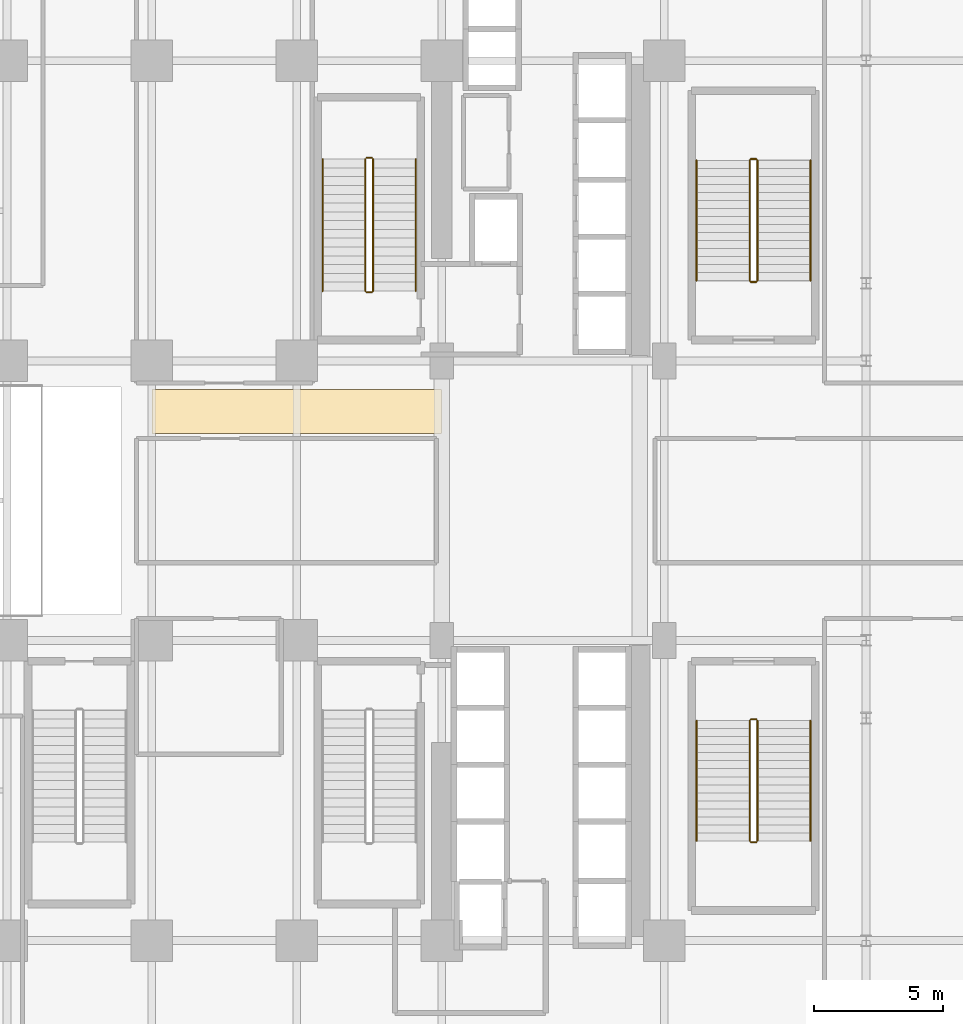
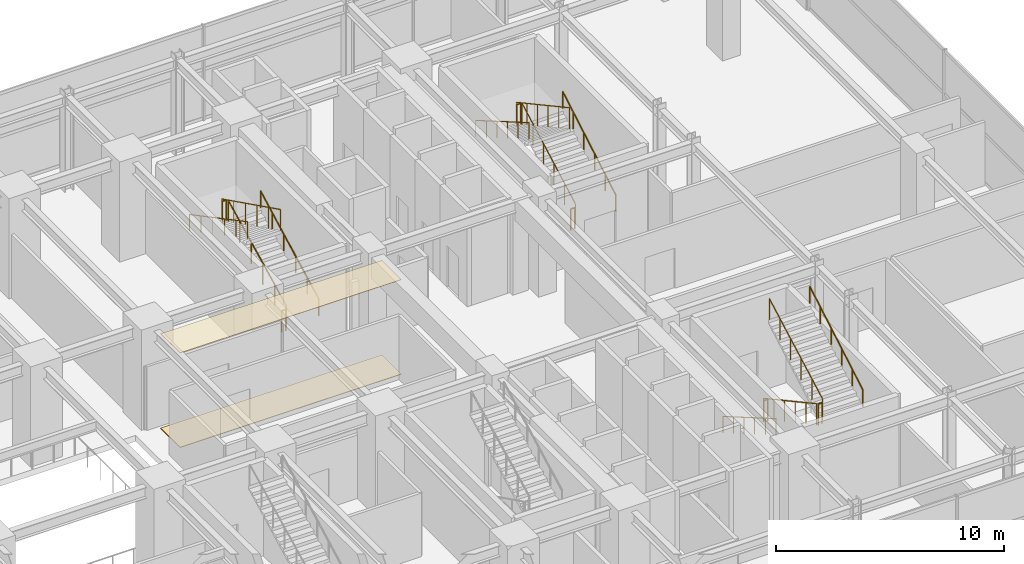
# One storey, part 32 of 32: 18 railings, 2 coverings.
"""IFC4 building model written with IfcOpenShell, lengths in metres."""

from ifc_helpers import new_model, si_unit, direction, frame, origin, origin_2d, place, context, subcontext, project, spatial, polyline, circle, outline, extrude, material, layer, layer_set, type_object, element, save


model = new_model("IFC4")

# Units and contexts
model_context = context("Model", 3, precision=1e-05, world=origin(), true_north=direction((0.0, 1.0)))
body_context = subcontext(model_context, "Body", "Model", "MODEL_VIEW")
ifc_project = project(units=[si_unit("LENGTHUNIT", "METRE"), si_unit("AREAUNIT", "SQUARE_METRE"), si_unit("VOLUMEUNIT", "CUBIC_METRE"), si_unit("PLANEANGLEUNIT", "RADIAN"), si_unit("MASSUNIT", "GRAM", prefix="KILO")], contexts=[model_context])

# Site, building, storey
site_placement = place(None, origin())
site = spatial("IfcSite", under=ifc_project, at=site_placement, CompositionType="ELEMENT")
building_placement = place(site_placement, origin())
building = spatial("IfcBuilding", under=site, at=building_placement, Name="Nahalor Promenade Grand Hotel", CompositionType="ELEMENT")
storey_placement = place(building_placement, frame((0.0, 0.0, 5.39990234375)))
storey = spatial("IfcBuildingStorey", under=building, at=storey_placement, Name="L01", CompositionType="ELEMENT", Elevation=5.39990234375)

# Coverings
ifc_material_1 = material(Name="Acoustic Mineral Gypsum", Category="gypsum")
ifc_layer_1 = layer(ifc_material_1, 0.02490234375)
ifc_layer_set_1 = layer_set([ifc_layer_1], Name="Acoustic Mineral Gypsum")
covering_type_1 = type_object("IfcCoveringType", Name="Acoustic Suspended Ceiling Tile", PredefinedType="CEILING", material=ifc_layer_set_1)
covering_1_placement = place(storey_placement, frame((0.0, 0.0, 5.05517578125)))
element("IfcCovering", 1, at=covering_1_placement, inside=storey, type_object=covering_type_1, Name="CV-CEIL-L01", PredefinedType="CEILING", context=body_context, shape_type="SweptSolid", body=[
    extrude(outline(polyline([(-2.800048828125, 2.60009765625), (8.39990234375, 2.60009765625), (8.39990234375, 4.300048828125), (-2.800048828125, 4.300048828125), (-2.800048828125, 2.60009765625)])), origin(), (0.0, 0.0, 1.0), 0.02490234375),
])
ifc_material_2 = material(Name="Jerusalem Limestone Flooring", Category="masonry")
ifc_layer_2 = layer(ifc_material_2, 0.030029296875)
ifc_layer_set_2 = layer_set([ifc_layer_2], Name="Jerusalem Limestone Flooring")
covering_type_2 = type_object("IfcCoveringType", Name="Honed Limestone Floor Finish", PredefinedType="FLOORING", material=ifc_layer_set_2)
covering_2_placement = place(storey_placement, origin())
element("IfcCovering", 2, at=covering_2_placement, inside=storey, type_object=covering_type_2, Name="CV-FLOR-L01", PredefinedType="FLOORING", context=body_context, shape_type="SweptSolid", body=[
    extrude(outline(polyline([(-2.800048828125, 2.60009765625), (8.39990234375, 2.60009765625), (8.39990234375, 4.300048828125), (-2.800048828125, 4.300048828125), (-2.800048828125, 2.60009765625)])), origin(), (0.0, 0.0, 1.0), 0.030029296875),
])

# Railings
ifc_material_3 = material(Name="Steel S355JR", Category="steel")
railing_type_1 = type_object("IfcRailingType", Name="Steel Stair Guardrail 1150 mm", PredefinedType="GUARDRAIL", material=ifc_material_3)
railing_1_placement = place(storey_placement, frame((5.75, 8.10009765625, 0.1689453125)))
element("IfcRailing", 3, at=railing_1_placement, inside=storey, type_object=railing_type_1, Name="L01 ST1 stair guard 1", PredefinedType="GUARDRAIL", context=body_context, shape_type="SweptSolid", body=[
    extrude(circle(Radius=0.024048, at=origin_2d()), frame((0.0, 0.0, 1.1259765625), z_axis=(0.0, 0.895735491292, 0.444587370086), x_axis=(-1.0, 0.0, 0.0)), (0.0, 0.0, 1.0), 5.693603515625),
    extrude(circle(Radius=0.020996, at=origin_2d()), origin(), (0.0, 0.0, 1.0), 1.099853515625),
    extrude(circle(Radius=0.020996, at=origin_2d()), frame((0.0, 1.02001953125, 0.50634765625)), (0.0, 0.0, 1.0), 1.099853515625),
    extrude(circle(Radius=0.020996, at=origin_2d()), frame((0.0, 2.0400390625, 1.012451171875)), (0.0, 0.0, 1.0), 1.099853515625),
    extrude(circle(Radius=0.020996, at=origin_2d()), frame((0.0, 3.059814453125, 1.518798828125)), (0.0, 0.0, 1.0), 1.099853515625),
    extrude(circle(Radius=0.020996, at=origin_2d()), frame((0.0, 4.079833984375, 2.02490234375)), (0.0, 0.0, 1.0), 1.099853515625),
    extrude(circle(Radius=0.020996, at=origin_2d()), frame((0.0, 5.099853515625, 2.53125)), (0.0, 0.0, 1.0), 1.099853515625),
])
railing_2_placement = place(storey_placement, frame((5.699951171875, 13.25, 2.7001953125)))
element("IfcRailing", 4, at=railing_2_placement, inside=storey, type_object=railing_type_1, Name="L01 ST1 stair guard 2", PredefinedType="GUARDRAIL", context=body_context, shape_type="SweptSolid", body=[
    extrude(circle(Radius=0.024048, at=origin_2d()), frame((0.0, 0.0, 1.1259765625), z_axis=(-1.0, 0.0, 0.0), x_axis=(0.0, -1.0, 0.0)), (0.0, 0.0, 1.0), 0.199951171875),
    extrude(circle(Radius=0.020996, at=origin_2d()), origin(), (0.0, 0.0, 1.0), 1.099853515625),
    extrude(circle(Radius=0.020996, at=origin_2d()), frame((-0.199951171875, 0.0, 0.0)), (0.0, 0.0, 1.0), 1.099853515625),
])
railing_3_placement = place(storey_placement, frame((5.449951171875, 13.199951171875, 2.868896484375)))
element("IfcRailing", 5, at=railing_3_placement, inside=storey, type_object=railing_type_1, Name="L01 ST1 stair guard 3", PredefinedType="GUARDRAIL", context=body_context, shape_type="SweptSolid", body=[
    extrude(circle(Radius=0.024048, at=origin_2d()), frame((0.0, 0.0, 1.1259765625), z_axis=(0.0, -0.895735491292, 0.444587370086), x_axis=(1.0, 0.0, 0.0)), (0.0, 0.0, 1.0), 5.693603515625),
    extrude(circle(Radius=0.020996, at=origin_2d()), origin(), (0.0, 0.0, 1.0), 1.099853515625),
    extrude(circle(Radius=0.020996, at=origin_2d()), frame((0.0, -1.02001953125, 0.50634765625)), (0.0, 0.0, 1.0), 1.099853515625),
    extrude(circle(Radius=0.020996, at=origin_2d()), frame((0.0, -2.0400390625, 1.012451171875)), (0.0, 0.0, 1.0), 1.099853515625),
    extrude(circle(Radius=0.020996, at=origin_2d()), frame((0.0, -3.059814453125, 1.518798828125)), (0.0, 0.0, 1.0), 1.099853515625),
    extrude(circle(Radius=0.020996, at=origin_2d()), frame((0.0, -4.079833984375, 2.02490234375)), (0.0, 0.0, 1.0), 1.099853515625),
    extrude(circle(Radius=0.020996, at=origin_2d()), frame((0.0, -5.099853515625, 2.53125)), (0.0, 0.0, 1.0), 1.099853515625),
])
railing_4_placement = place(storey_placement, frame((5.699951171875, 8.050048828125, 0.0)))
element("IfcRailing", 6, at=railing_4_placement, inside=storey, type_object=railing_type_1, Name="L01 ST1 stair guard 4", PredefinedType="GUARDRAIL", context=body_context, shape_type="SweptSolid", body=[
    extrude(circle(Radius=0.024048, at=origin_2d()), frame((0.0, 0.0, 1.1259765625), z_axis=(-1.0, 0.0, 0.0), x_axis=(0.0, -1.0, 0.0)), (0.0, 0.0, 1.0), 0.199951171875),
    extrude(circle(Radius=0.020996, at=origin_2d()), origin(), (0.0, 0.0, 1.0), 1.099853515625),
    extrude(circle(Radius=0.020996, at=origin_2d()), frame((-0.199951171875, 0.0, 0.0)), (0.0, 0.0, 1.0), 1.099853515625),
])
railing_5_placement = place(storey_placement, frame((20.60009765625, 8.5, 0.1689453125)))
element("IfcRailing", 7, at=railing_5_placement, inside=storey, type_object=railing_type_1, Name="L01 ST4 stair guard 1", PredefinedType="GUARDRAIL", context=body_context, shape_type="SweptSolid", body=[
    extrude(circle(Radius=0.024048, at=origin_2d()), frame((0.0, 0.0, 1.1259765625), z_axis=(0.0, 0.878297076953, 0.478115304728), x_axis=(-1.0, 0.0, 0.0)), (0.0, 0.0, 1.0), 5.294189453125),
    extrude(circle(Radius=0.020996, at=origin_2d()), origin(), (0.0, 0.0, 1.0), 1.099853515625),
    extrude(circle(Radius=0.020996, at=origin_2d()), frame((0.0, 0.929931640625, 0.50634765625)), (0.0, 0.0, 1.0), 1.099853515625),
    extrude(circle(Radius=0.020996, at=origin_2d()), frame((0.0, 1.85986328125, 1.012451171875)), (0.0, 0.0, 1.0), 1.099853515625),
    extrude(circle(Radius=0.020996, at=origin_2d()), frame((0.0, 2.7900390625, 1.518798828125)), (0.0, 0.0, 1.0), 1.099853515625),
    extrude(circle(Radius=0.020996, at=origin_2d()), frame((0.0, 3.719970703125, 2.02490234375)), (0.0, 0.0, 1.0), 1.099853515625),
    extrude(circle(Radius=0.020996, at=origin_2d()), frame((0.0, 4.64990234375, 2.53125)), (0.0, 0.0, 1.0), 1.099853515625),
])
railing_6_placement = place(storey_placement, frame((20.550048828125, 13.199951171875, 2.7001953125)))
element("IfcRailing", 8, at=railing_6_placement, inside=storey, type_object=railing_type_1, Name="L01 ST4 stair guard 2", PredefinedType="GUARDRAIL", context=body_context, shape_type="SweptSolid", body=[
    extrude(circle(Radius=0.024048, at=origin_2d()), frame((0.0, 0.0, 1.1259765625), z_axis=(-1.0, 0.0, 0.0), x_axis=(0.0, -1.0, 0.0)), (0.0, 0.0, 1.0), 0.199951171875),
    extrude(circle(Radius=0.020996, at=origin_2d()), origin(), (0.0, 0.0, 1.0), 1.099853515625),
    extrude(circle(Radius=0.020996, at=origin_2d()), frame((-0.199951171875, 0.0, 0.0)), (0.0, 0.0, 1.0), 1.099853515625),
])
railing_7_placement = place(storey_placement, frame((20.300048828125, 13.14990234375, 2.868896484375)))
element("IfcRailing", 9, at=railing_7_placement, inside=storey, type_object=railing_type_1, Name="L01 ST4 stair guard 3", PredefinedType="GUARDRAIL", context=body_context, shape_type="SweptSolid", body=[
    extrude(circle(Radius=0.024048, at=origin_2d()), frame((0.0, 0.0, 1.1259765625), z_axis=(0.0, -0.878297076953, 0.478115304728), x_axis=(1.0, 0.0, 0.0)), (0.0, 0.0, 1.0), 5.294189453125),
    extrude(circle(Radius=0.020996, at=origin_2d()), origin(), (0.0, 0.0, 1.0), 1.099853515625),
    extrude(circle(Radius=0.020996, at=origin_2d()), frame((0.0, -0.929931640625, 0.50634765625)), (0.0, 0.0, 1.0), 1.099853515625),
    extrude(circle(Radius=0.020996, at=origin_2d()), frame((0.0, -1.85986328125, 1.012451171875)), (0.0, 0.0, 1.0), 1.099853515625),
    extrude(circle(Radius=0.020996, at=origin_2d()), frame((0.0, -2.7900390625, 1.518798828125)), (0.0, 0.0, 1.0), 1.099853515625),
    extrude(circle(Radius=0.020996, at=origin_2d()), frame((0.0, -3.719970703125, 2.02490234375)), (0.0, 0.0, 1.0), 1.099853515625),
    extrude(circle(Radius=0.020996, at=origin_2d()), frame((0.0, -4.64990234375, 2.53125)), (0.0, 0.0, 1.0), 1.099853515625),
])
railing_8_placement = place(storey_placement, frame((20.550048828125, 8.449951171875, 0.0)))
element("IfcRailing", 10, at=railing_8_placement, inside=storey, type_object=railing_type_1, Name="L01 ST4 stair guard 4", PredefinedType="GUARDRAIL", context=body_context, shape_type="SweptSolid", body=[
    extrude(circle(Radius=0.024048, at=origin_2d()), frame((0.0, 0.0, 1.1259765625), z_axis=(-1.0, 0.0, 0.0), x_axis=(0.0, -1.0, 0.0)), (0.0, 0.0, 1.0), 0.199951171875),
    extrude(circle(Radius=0.020996, at=origin_2d()), origin(), (0.0, 0.0, 1.0), 1.099853515625),
    extrude(circle(Radius=0.020996, at=origin_2d()), frame((-0.199951171875, 0.0, 0.0)), (0.0, 0.0, 1.0), 1.099853515625),
])
railing_9_placement = place(storey_placement, frame((20.300048828125, -8.5, 0.1689453125)))
element("IfcRailing", 11, at=railing_9_placement, inside=storey, type_object=railing_type_1, Name="L01 ST5 stair guard 1", PredefinedType="GUARDRAIL", context=body_context, shape_type="SweptSolid", body=[
    extrude(circle(Radius=0.024048, at=origin_2d()), frame((0.0, 0.0, 1.1259765625), z_axis=(0.0, -0.878297076953, 0.478115304728), x_axis=(1.0, 0.0, 0.0)), (0.0, 0.0, 1.0), 5.294189453125),
    extrude(circle(Radius=0.020996, at=origin_2d()), origin(), (0.0, 0.0, 1.0), 1.099853515625),
    extrude(circle(Radius=0.020996, at=origin_2d()), frame((0.0, -0.929931640625, 0.50634765625)), (0.0, 0.0, 1.0), 1.099853515625),
    extrude(circle(Radius=0.020996, at=origin_2d()), frame((0.0, -1.85986328125, 1.012451171875)), (0.0, 0.0, 1.0), 1.099853515625),
    extrude(circle(Radius=0.020996, at=origin_2d()), frame((0.0, -2.7900390625, 1.518798828125)), (0.0, 0.0, 1.0), 1.099853515625),
    extrude(circle(Radius=0.020996, at=origin_2d()), frame((0.0, -3.719970703125, 2.02490234375)), (0.0, 0.0, 1.0), 1.099853515625),
    extrude(circle(Radius=0.020996, at=origin_2d()), frame((0.0, -4.64990234375, 2.53125)), (0.0, 0.0, 1.0), 1.099853515625),
])
railing_10_placement = place(storey_placement, frame((20.35009765625, -13.199951171875, 2.7001953125)))
element("IfcRailing", 12, at=railing_10_placement, inside=storey, type_object=railing_type_1, Name="L01 ST5 stair guard 2", PredefinedType="GUARDRAIL", context=body_context, shape_type="SweptSolid", body=[
    extrude(circle(Radius=0.024048, at=origin_2d()), frame((0.0, 0.0, 1.1259765625), z_axis=(1.0, 0.0, 0.0), x_axis=(0.0, 1.0, 0.0)), (0.0, 0.0, 1.0), 0.199951171875),
    extrude(circle(Radius=0.020996, at=origin_2d()), origin(), (0.0, 0.0, 1.0), 1.099853515625),
    extrude(circle(Radius=0.020996, at=origin_2d()), frame((0.199951171875, 0.0, 0.0)), (0.0, 0.0, 1.0), 1.099853515625),
])
railing_11_placement = place(storey_placement, frame((20.60009765625, -13.14990234375, 2.868896484375)))
element("IfcRailing", 13, at=railing_11_placement, inside=storey, type_object=railing_type_1, Name="L01 ST5 stair guard 3", PredefinedType="GUARDRAIL", context=body_context, shape_type="SweptSolid", body=[
    extrude(circle(Radius=0.024048, at=origin_2d()), frame((0.0, 0.0, 1.1259765625), z_axis=(0.0, 0.878297076953, 0.478115304728), x_axis=(-1.0, 0.0, 0.0)), (0.0, 0.0, 1.0), 5.294189453125),
    extrude(circle(Radius=0.020996, at=origin_2d()), origin(), (0.0, 0.0, 1.0), 1.099853515625),
    extrude(circle(Radius=0.020996, at=origin_2d()), frame((0.0, 0.929931640625, 0.50634765625)), (0.0, 0.0, 1.0), 1.099853515625),
    extrude(circle(Radius=0.020996, at=origin_2d()), frame((0.0, 1.85986328125, 1.012451171875)), (0.0, 0.0, 1.0), 1.099853515625),
    extrude(circle(Radius=0.020996, at=origin_2d()), frame((0.0, 2.7900390625, 1.518798828125)), (0.0, 0.0, 1.0), 1.099853515625),
    extrude(circle(Radius=0.020996, at=origin_2d()), frame((0.0, 3.719970703125, 2.02490234375)), (0.0, 0.0, 1.0), 1.099853515625),
    extrude(circle(Radius=0.020996, at=origin_2d()), frame((0.0, 4.64990234375, 2.53125)), (0.0, 0.0, 1.0), 1.099853515625),
])
railing_12_placement = place(storey_placement, frame((20.35009765625, -8.449951171875, 0.0)))
element("IfcRailing", 14, at=railing_12_placement, inside=storey, type_object=railing_type_1, Name="L01 ST5 stair guard 4", PredefinedType="GUARDRAIL", context=body_context, shape_type="SweptSolid", body=[
    extrude(circle(Radius=0.024048, at=origin_2d()), frame((0.0, 0.0, 1.1259765625), z_axis=(1.0, 0.0, 0.0), x_axis=(0.0, 1.0, 0.0)), (0.0, 0.0, 1.0), 0.199951171875),
    extrude(circle(Radius=0.020996, at=origin_2d()), origin(), (0.0, 0.0, 1.0), 1.099853515625),
    extrude(circle(Radius=0.020996, at=origin_2d()), frame((0.199951171875, 0.0, 0.0)), (0.0, 0.0, 1.0), 1.099853515625),
])
railing_type_2 = type_object("IfcRailingType", Name="Steel Stair Handrail 900 mm", PredefinedType="HANDRAIL", material=ifc_material_3)
railing_13_placement = place(storey_placement, frame((7.39990234375, 8.10009765625, 0.1689453125)))
element("IfcRailing", 15, at=railing_13_placement, inside=storey, type_object=railing_type_2, Name="L01 ST1 stair handrail 1", PredefinedType="HANDRAIL", context=body_context, shape_type="SweptSolid", body=[
    extrude(circle(Radius=0.024048, at=origin_2d()), frame((0.0, 0.0, 0.8759765625), z_axis=(0.0, 0.883785858079, 0.467891608238), x_axis=(-1.0, 0.0, 0.0)), (0.0, 0.0, 1.0), 5.7705078125),
    extrude(circle(Radius=0.020996, at=origin_2d()), origin(), (0.0, 0.0, 1.0), 0.849853515625),
    extrude(circle(Radius=0.020996, at=origin_2d()), frame((0.0, 1.02001953125, 0.5400390625)), (0.0, 0.0, 1.0), 0.849853515625),
    extrude(circle(Radius=0.020996, at=origin_2d()), frame((0.0, 2.0400390625, 1.080078125)), (0.0, 0.0, 1.0), 0.849853515625),
    extrude(circle(Radius=0.020996, at=origin_2d()), frame((0.0, 3.059814453125, 1.619873046875)), (0.0, 0.0, 1.0), 0.849853515625),
    extrude(circle(Radius=0.020996, at=origin_2d()), frame((0.0, 4.079833984375, 2.159912109375)), (0.0, 0.0, 1.0), 0.849853515625),
    extrude(circle(Radius=0.020996, at=origin_2d()), frame((0.0, 5.099853515625, 2.699951171875)), (0.0, 0.0, 1.0), 0.849853515625),
])
railing_14_placement = place(storey_placement, frame((3.800048828125, 13.199951171875, 2.868896484375)))
element("IfcRailing", 16, at=railing_14_placement, inside=storey, type_object=railing_type_2, Name="L01 ST1 stair handrail 2", PredefinedType="HANDRAIL", context=body_context, shape_type="SweptSolid", body=[
    extrude(circle(Radius=0.024048, at=origin_2d()), frame((0.0, 0.0, 0.8759765625), z_axis=(0.0, -0.883785858079, 0.467891608238), x_axis=(1.0, 0.0, 0.0)), (0.0, 0.0, 1.0), 5.7705078125),
    extrude(circle(Radius=0.020996, at=origin_2d()), origin(), (0.0, 0.0, 1.0), 0.849853515625),
    extrude(circle(Radius=0.020996, at=origin_2d()), frame((0.0, -1.02001953125, 0.5400390625)), (0.0, 0.0, 1.0), 0.849853515625),
    extrude(circle(Radius=0.020996, at=origin_2d()), frame((0.0, -2.0400390625, 1.080078125)), (0.0, 0.0, 1.0), 0.849853515625),
    extrude(circle(Radius=0.020996, at=origin_2d()), frame((0.0, -3.059814453125, 1.619873046875)), (0.0, 0.0, 1.0), 0.849853515625),
    extrude(circle(Radius=0.020996, at=origin_2d()), frame((0.0, -4.079833984375, 2.159912109375)), (0.0, 0.0, 1.0), 0.849853515625),
    extrude(circle(Radius=0.020996, at=origin_2d()), frame((0.0, -5.099853515625, 2.699951171875)), (0.0, 0.0, 1.0), 0.849853515625),
])
railing_15_placement = place(storey_placement, frame((22.64990234375, 8.5, 0.1689453125)))
element("IfcRailing", 17, at=railing_15_placement, inside=storey, type_object=railing_type_2, Name="L01 ST4 stair handrail 1", PredefinedType="HANDRAIL", context=body_context, shape_type="SweptSolid", body=[
    extrude(circle(Radius=0.024048, at=origin_2d()), frame((0.0, 0.0, 0.8759765625), z_axis=(0.0, 0.864788310583, 0.502136612766), x_axis=(-1.0, 0.0, 0.0)), (0.0, 0.0, 1.0), 5.376953125),
    extrude(circle(Radius=0.020996, at=origin_2d()), origin(), (0.0, 0.0, 1.0), 0.849853515625),
    extrude(circle(Radius=0.020996, at=origin_2d()), frame((0.0, 0.929931640625, 0.5400390625)), (0.0, 0.0, 1.0), 0.849853515625),
    extrude(circle(Radius=0.020996, at=origin_2d()), frame((0.0, 1.85986328125, 1.080078125)), (0.0, 0.0, 1.0), 0.849853515625),
    extrude(circle(Radius=0.020996, at=origin_2d()), frame((0.0, 2.7900390625, 1.619873046875)), (0.0, 0.0, 1.0), 0.849853515625),
    extrude(circle(Radius=0.020996, at=origin_2d()), frame((0.0, 3.719970703125, 2.159912109375)), (0.0, 0.0, 1.0), 0.849853515625),
    extrude(circle(Radius=0.020996, at=origin_2d()), frame((0.0, 4.64990234375, 2.699951171875)), (0.0, 0.0, 1.0), 0.849853515625),
])
for number, where, name in (
    (18, (18.25, 13.14990234375, 2.868896484375), "L01 ST4 stair handrail 2"),
    (19, (18.25, -8.5, 0.1689453125), "L01 ST5 stair handrail 1"),
):
    element("IfcRailing", number, at=place(storey_placement, frame(where)), inside=storey, type_object=railing_type_2, Name=name, PredefinedType="HANDRAIL", context=body_context, shape_type="SweptSolid", body=[
        extrude(circle(Radius=0.024048, at=origin_2d()), frame((0.0, 0.0, 0.8759765625), z_axis=(0.0, -0.864788310583, 0.502136612766), x_axis=(1.0, 0.0, 0.0)), (0.0, 0.0, 1.0), 5.376953125),
        extrude(circle(Radius=0.020996, at=origin_2d()), origin(), (0.0, 0.0, 1.0), 0.849853515625),
        extrude(circle(Radius=0.020996, at=origin_2d()), frame((0.0, -0.929931640625, 0.5400390625)), (0.0, 0.0, 1.0), 0.849853515625),
        extrude(circle(Radius=0.020996, at=origin_2d()), frame((0.0, -1.85986328125, 1.080078125)), (0.0, 0.0, 1.0), 0.849853515625),
        extrude(circle(Radius=0.020996, at=origin_2d()), frame((0.0, -2.7900390625, 1.619873046875)), (0.0, 0.0, 1.0), 0.849853515625),
        extrude(circle(Radius=0.020996, at=origin_2d()), frame((0.0, -3.719970703125, 2.159912109375)), (0.0, 0.0, 1.0), 0.849853515625),
        extrude(circle(Radius=0.020996, at=origin_2d()), frame((0.0, -4.64990234375, 2.699951171875)), (0.0, 0.0, 1.0), 0.849853515625),
    ])
railing_16_placement = place(storey_placement, frame((22.64990234375, -13.14990234375, 2.868896484375)))
element("IfcRailing", 20, at=railing_16_placement, inside=storey, type_object=railing_type_2, Name="L01 ST5 stair handrail 2", PredefinedType="HANDRAIL", context=body_context, shape_type="SweptSolid", body=[
    extrude(circle(Radius=0.024048, at=origin_2d()), frame((0.0, 0.0, 0.8759765625), z_axis=(0.0, 0.864788310583, 0.502136612766), x_axis=(-1.0, 0.0, 0.0)), (0.0, 0.0, 1.0), 5.376953125),
    extrude(circle(Radius=0.020996, at=origin_2d()), origin(), (0.0, 0.0, 1.0), 0.849853515625),
    extrude(circle(Radius=0.020996, at=origin_2d()), frame((0.0, 0.929931640625, 0.5400390625)), (0.0, 0.0, 1.0), 0.849853515625),
    extrude(circle(Radius=0.020996, at=origin_2d()), frame((0.0, 1.85986328125, 1.080078125)), (0.0, 0.0, 1.0), 0.849853515625),
    extrude(circle(Radius=0.020996, at=origin_2d()), frame((0.0, 2.7900390625, 1.619873046875)), (0.0, 0.0, 1.0), 0.849853515625),
    extrude(circle(Radius=0.020996, at=origin_2d()), frame((0.0, 3.719970703125, 2.159912109375)), (0.0, 0.0, 1.0), 0.849853515625),
    extrude(circle(Radius=0.020996, at=origin_2d()), frame((0.0, 4.64990234375, 2.699951171875)), (0.0, 0.0, 1.0), 0.849853515625),
])

save(model, "model.ifc")
